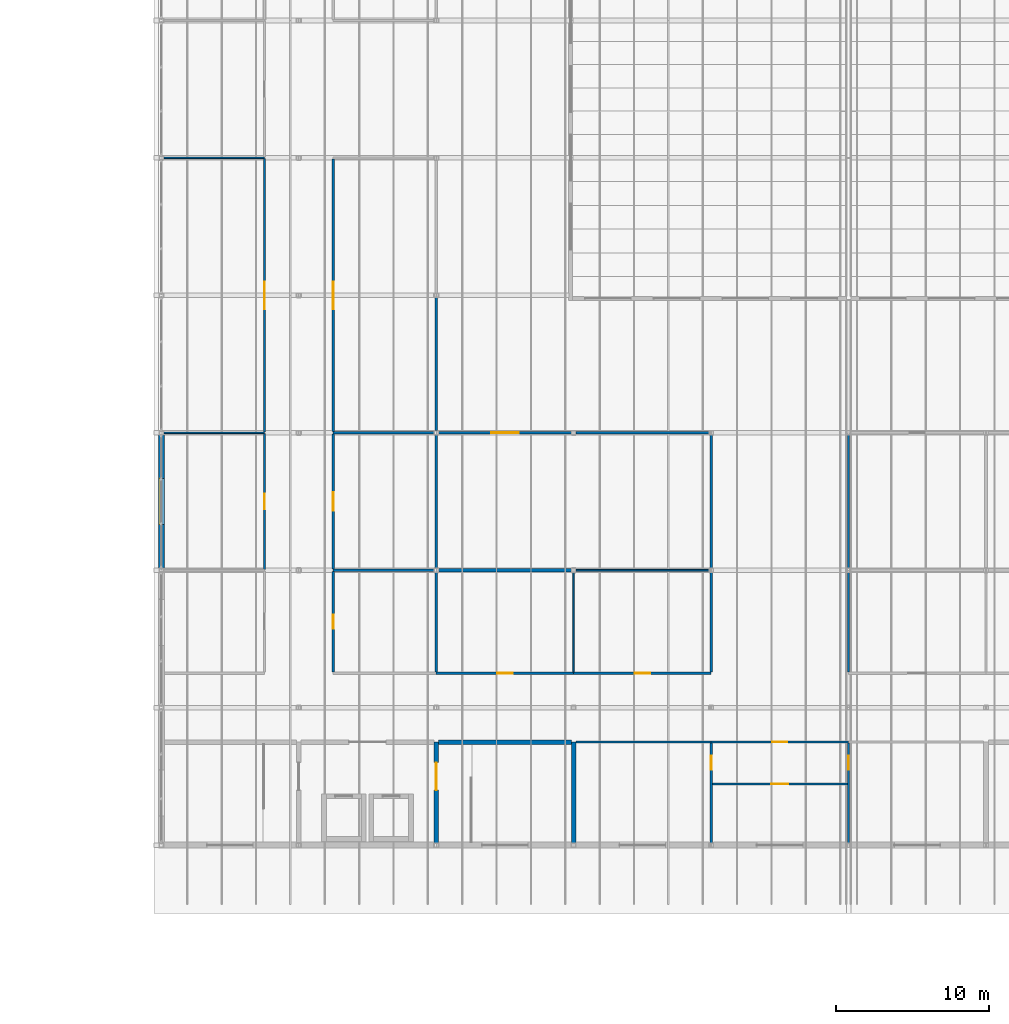
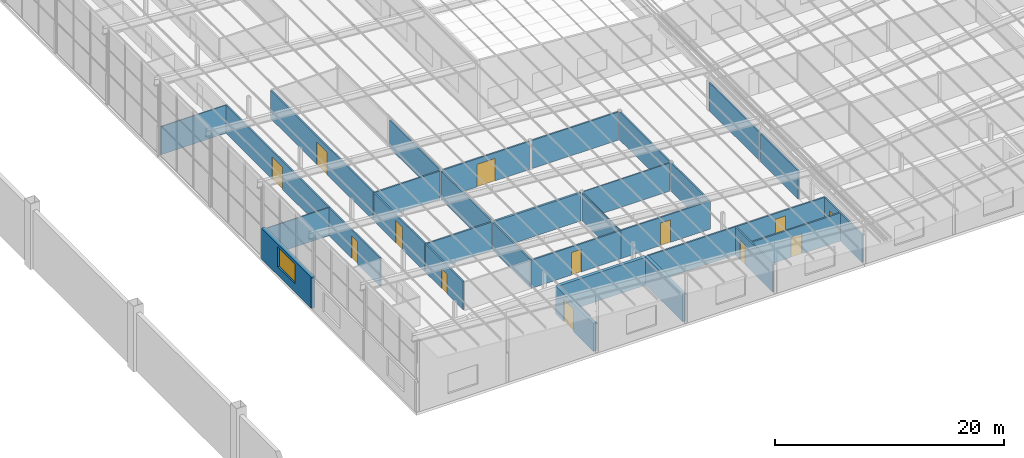
# One storey, part 71 of 85: 32 walls, 13 doors, 1 window, 14 openings.
"""IFC4 building model written with IfcOpenShell, lengths in metres."""

from ifc_helpers import new_model, si_unit, direction, frame, frame_2d, origin, place, context, subcontext, project, spatial, rectangle, extrude, material, layer, layer_set, type_object, element, fill, save


model = new_model("IFC4")

# Units and contexts
model_context = context("Model", 3, precision=1e-05, world=origin(), true_north=direction((0.0, 1.0)))
body_context = subcontext(model_context, "Body", "Model", "MODEL_VIEW")
ifc_project = project(units=[si_unit("LENGTHUNIT", "METRE"), si_unit("AREAUNIT", "SQUARE_METRE"), si_unit("VOLUMEUNIT", "CUBIC_METRE"), si_unit("PLANEANGLEUNIT", "RADIAN"), si_unit("MASSUNIT", "GRAM", prefix="KILO")], contexts=[model_context])

# Site, building, storey
site_placement = place(None, origin())
site = spatial("IfcSite", under=ifc_project, at=site_placement, CompositionType="ELEMENT")
building_placement = place(site_placement, origin())
building = spatial("IfcBuilding", under=site, at=building_placement, Name="Opaline Strait Convention Centre", CompositionType="ELEMENT")
storey_placement = place(building_placement, frame((0.0, 0.0, 17.0)))
storey = spatial("IfcBuildingStorey", under=building, at=storey_placement, Name="L03", CompositionType="ELEMENT", Elevation=17.0)

# Wall
ifc_material_1 = material(Name="Gypsum board")
ifc_layer_1 = layer(ifc_material_1, 0.050048828125)
ifc_material_2 = material(Name="Steel stud and mineral wool", Category="steel")
ifc_layer_2 = layer(ifc_material_2, 0.10009765625)
ifc_layer_3 = layer(ifc_material_1, 0.050048828125)
ifc_layer_set_1 = layer_set([ifc_layer_1, ifc_layer_2, ifc_layer_3], Name="Gypsum board, Steel stud and mineral wool, Gypsum board")
wall_type_1 = type_object("IfcWallType", Name="Acoustic partition 200 EI45", PredefinedType="PARTITIONING", material=ifc_layer_set_1)
wall_1_placement = place(storey_placement, frame((297.14990234375, 108.0, 0.0), z_axis=(0.0, 0.0, 1.0), x_axis=(1.0, 0.0, 0.0)))
element("IfcWall", 1, at=wall_1_placement, inside=storey, type_object=wall_type_1, Name="MPW5 partition Breakout Room 3.12 N", PredefinedType="PARTITIONING", context=body_context, shape_type="SweptSolid", body=[
    extrude(rectangle(XDim=8.7001953125, YDim=0.199951171875, at=frame_2d((4.35009765625, 0.0))), origin(), (0.0, 0.0, 1.0), 3.0),
])

# Wall, opening, door
ifc_layer_4 = layer(ifc_material_1, 0.032470703125)
ifc_layer_5 = layer(ifc_material_2, 0.0849609375)
ifc_layer_6 = layer(ifc_material_1, 0.032470703125)
ifc_layer_set_2 = layer_set([ifc_layer_4, ifc_layer_5, ifc_layer_6], Name="Gypsum board, Steel stud and mineral wool, Gypsum board")
wall_type_2 = type_object("IfcWallType", Name="Corridor partition 150 EI60", PredefinedType="PARTITIONING", material=ifc_layer_set_2)
wall_2_placement = place(storey_placement, frame((285.75, 108.050048828125, 0.0), z_axis=(0.0, 0.0, 1.0), x_axis=(0.0, 1.0, 0.0)))
wall_2 = element("IfcWall", 2, at=wall_2_placement, inside=storey, type_object=wall_type_2, Name="MPW1 partition Business Services Centre 3.02 E", PredefinedType="PARTITIONING", context=body_context, shape_type="SweptSolid", body=[
    extrude(rectangle(XDim=8.89990234375, YDim=0.14990234375, at=frame_2d((4.449951171875, 0.0))), origin(), (0.0, 0.0, 1.0), 3.0),
])
opening_1_placement = place(wall_2_placement, frame((3.949951171875, 0.0, 0.0)))
opening_1 = element("IfcOpeningElement", 3, at=opening_1_placement, cuts=wall_2, Name="Opening M3-022", PredefinedType="OPENING", context=body_context, shape_type="SweptSolid", body=[
    extrude(rectangle(XDim=1.0, YDim=2.39990234375, at=frame_2d((0.5, 1.199951171875))), frame((0.0, 0.0849609375, 0.0), z_axis=(0.0, -1.0, 0.0), x_axis=(1.0, 0.0, 0.0)), (0.0, 0.0, 1.0), 0.169921875),
])
ifc_material_3 = material(Name="Solid-core timber leaf, steel frame door set", Category="steel")
door_type_1 = type_object("IfcDoorType", Name="Meeting room door FD30 1000 x 2400", OperationType="SINGLE_SWING_LEFT", PredefinedType="DOOR", material=ifc_material_3)
door_1_placement = place(opening_1_placement, frame((1.0, 0.0, 0.0), z_axis=(0.0, 0.0, 1.0), x_axis=(-1.0, 0.0, 0.0)))
door_1 = element("IfcDoor", 4, at=door_1_placement, inside=storey, type_object=door_type_1, Name="Door Business Services Centre 3.02", ObjectType="MD8", OperationType="SINGLE_SWING_RIGHT", OverallHeight=2.39990234375, OverallWidth=1.0, PredefinedType="DOOR", context=body_context, shape_type="SweptSolid", body=[
    extrude(rectangle(XDim=1.0, YDim=2.39990234375, at=frame_2d((0.5, 1.199951171875))), frame((0.0, 0.02490234375, 0.0), z_axis=(0.0, -1.0, 0.0), x_axis=(1.0, 0.0, 0.0)), (0.0, 0.0, 1.0), 0.050048828125),
])
fill(opening_1, door_1)

wall_3_placement = place(storey_placement, frame((285.75, 117.050048828125, 0.0), z_axis=(0.0, 0.0, 1.0), x_axis=(0.0, 1.0, 0.0)))
wall_3 = element("IfcWall", 5, at=wall_3_placement, inside=storey, type_object=wall_type_2, Name="MPW1 partition Delegate Lounge 3.03 E", PredefinedType="PARTITIONING", context=body_context, shape_type="SweptSolid", body=[
    extrude(rectangle(XDim=17.89990234375, YDim=0.14990234375, at=frame_2d((8.949951171875, 0.0))), origin(), (0.0, 0.0, 1.0), 3.0),
])
opening_2_placement = place(wall_3_placement, frame((8.050048828125, 0.0, 0.0)))
opening_2 = element("IfcOpeningElement", 6, at=opening_2_placement, cuts=wall_3, Name="Opening M3-023", PredefinedType="OPENING", context=body_context, shape_type="SweptSolid", body=[
    extrude(rectangle(XDim=1.800048828125, YDim=2.39990234375, at=frame_2d((0.89990234375, 1.199951171875))), frame((0.0, 0.0849609375, 0.0), z_axis=(0.0, -1.0, 0.0), x_axis=(1.0, 0.0, 0.0)), (0.0, 0.0, 1.0), 0.169921875),
])
door_type_2 = type_object("IfcDoorType", Name="Meeting room double door FD30 1800 x 2400", OperationType="DOUBLE_DOOR_SINGLE_SWING", PredefinedType="DOOR", material=ifc_material_3)
door_2_placement = place(opening_2_placement, frame((1.800048828125, 0.0, 0.0), z_axis=(0.0, 0.0, 1.0), x_axis=(-1.0, 0.0, 0.0)))
door_2 = element("IfcDoor", 7, at=door_2_placement, inside=storey, type_object=door_type_2, Name="Door Delegate Lounge 3.03", ObjectType="MD7", OperationType="DOUBLE_DOOR_SINGLE_SWING", OverallHeight=2.39990234375, OverallWidth=1.800048828125, PredefinedType="DOOR", context=body_context, shape_type="SweptSolid", body=[
    extrude(rectangle(XDim=1.800048828125, YDim=2.39990234375, at=frame_2d((0.89990234375, 1.199951171875))), frame((0.0, 0.02490234375, 0.0), z_axis=(0.0, -1.0, 0.0), x_axis=(1.0, 0.0, 0.0)), (0.0, 0.0, 1.0), 0.050048828125),
])
fill(opening_2, door_2)

wall_4_placement = place(storey_placement, frame((290.25, 117.074951171875, 0.0), z_axis=(0.0, 0.0, 1.0), x_axis=(0.0, 1.0, 0.0)))
wall_4 = element("IfcWall", 8, at=wall_4_placement, inside=storey, type_object=wall_type_2, Name="MPW1 partition Seminar Room 3.09 W", PredefinedType="PARTITIONING", context=body_context, shape_type="SweptSolid", body=[
    extrude(rectangle(XDim=17.85009765625, YDim=0.14990234375, at=frame_2d((8.925048828125, 0.0))), origin(), (0.0, 0.0, 1.0), 3.0),
])
opening_3_placement = place(wall_4_placement, frame((8.025146484375, 0.0, 0.0)))
opening_3 = element("IfcOpeningElement", 9, at=opening_3_placement, cuts=wall_4, Name="Opening M3-029", PredefinedType="OPENING", context=body_context, shape_type="SweptSolid", body=[
    extrude(rectangle(XDim=1.800048828125, YDim=2.39990234375, at=frame_2d((0.89990234375, 1.199951171875))), frame((0.0, 0.0849609375, 0.0), z_axis=(0.0, -1.0, 0.0), x_axis=(1.0, 0.0, 0.0)), (0.0, 0.0, 1.0), 0.169921875),
])
door_3_placement = place(opening_3_placement, origin())
door_3 = element("IfcDoor", 10, at=door_3_placement, inside=storey, type_object=door_type_2, Name="Door Seminar Room 3.09", ObjectType="MD7", OperationType="DOUBLE_DOOR_SINGLE_SWING", OverallHeight=2.39990234375, OverallWidth=1.800048828125, PredefinedType="DOOR", context=body_context, shape_type="SweptSolid", body=[
    extrude(rectangle(XDim=1.800048828125, YDim=2.39990234375, at=frame_2d((0.89990234375, 1.199951171875))), frame((0.0, 0.02490234375, 0.0), z_axis=(0.0, -1.0, 0.0), x_axis=(1.0, 0.0, 0.0)), (0.0, 0.0, 1.0), 0.050048828125),
])
fill(opening_3, door_3)

# Wall
wall_5_placement = place(storey_placement, frame((297.0, 117.14990234375, 0.0), z_axis=(0.0, 0.0, 1.0), x_axis=(0.0, 1.0, 0.0)))
element("IfcWall", 11, at=wall_5_placement, inside=storey, type_object=wall_type_2, Name="MPW1 partition Seminar Room 3.09 E", PredefinedType="PARTITIONING", context=body_context, shape_type="SweptSolid", body=[
    extrude(rectangle(XDim=8.7001953125, YDim=0.14990234375, at=frame_2d((4.35009765625, 0.0))), origin(), (0.0, 0.0, 1.0), 3.0),
])

# Wall, opening, door
wall_6_placement = place(storey_placement, frame((297.0, 101.25, 0.0), z_axis=(0.0, 0.0, 1.0), x_axis=(1.0, 0.0, 0.0)))
wall_6 = element("IfcWall", 12, at=wall_6_placement, inside=storey, type_object=wall_type_2, Name="MPW1 partition Breakout Room 3.12 S", PredefinedType="PARTITIONING", context=body_context, shape_type="SweptSolid", body=[
    extrude(rectangle(XDim=9.0, YDim=0.14990234375, at=frame_2d((4.5, 0.0))), origin(), (0.0, 0.0, 1.0), 3.0),
])
opening_4_placement = place(wall_6_placement, frame((4.0, 0.0, 0.0)))
opening_4 = element("IfcOpeningElement", 13, at=opening_4_placement, cuts=wall_6, Name="Opening M3-032", PredefinedType="OPENING", context=body_context, shape_type="SweptSolid", body=[
    extrude(rectangle(XDim=1.0, YDim=2.39990234375, at=frame_2d((0.5, 1.199951171875))), frame((0.0, 0.0849609375, 0.0), z_axis=(0.0, -1.0, 0.0), x_axis=(1.0, 0.0, 0.0)), (0.0, 0.0, 1.0), 0.169921875),
])
door_4_placement = place(opening_4_placement, frame((1.0, 0.0, 0.0), z_axis=(0.0, 0.0, 1.0), x_axis=(-1.0, 0.0, 0.0)))
door_4 = element("IfcDoor", 14, at=door_4_placement, inside=storey, type_object=door_type_1, Name="Door Breakout Room 3.12", ObjectType="MD8", OperationType="SINGLE_SWING_LEFT", OverallHeight=2.39990234375, OverallWidth=1.0, PredefinedType="DOOR", context=body_context, shape_type="SweptSolid", body=[
    extrude(rectangle(XDim=1.0, YDim=2.39990234375, at=frame_2d((0.5, 1.199951171875))), frame((0.0, 0.02490234375, 0.0), z_axis=(0.0, -1.0, 0.0), x_axis=(1.0, 0.0, 0.0)), (0.0, 0.0, 1.0), 0.050048828125),
])
fill(opening_4, door_4)

wall_7_placement = place(storey_placement, frame((306.0, 101.25, 0.0), z_axis=(0.0, 0.0, 1.0), x_axis=(1.0, 0.0, 0.0)))
wall_7 = element("IfcWall", 15, at=wall_7_placement, inside=storey, type_object=wall_type_2, Name="MPW1 partition Chair Store 3.13 S", PredefinedType="PARTITIONING", context=body_context, shape_type="SweptSolid", body=[
    extrude(rectangle(XDim=9.0, YDim=0.14990234375, at=frame_2d((4.5, 0.0))), origin(), (0.0, 0.0, 1.0), 3.0),
])
opening_5_placement = place(wall_7_placement, frame((4.0, 0.0, 0.0)))
opening_5 = element("IfcOpeningElement", 16, at=opening_5_placement, cuts=wall_7, Name="Opening M3-033", PredefinedType="OPENING", context=body_context, shape_type="SweptSolid", body=[
    extrude(rectangle(XDim=1.0, YDim=2.39990234375, at=frame_2d((0.5, 1.199951171875))), frame((0.0, 0.0849609375, 0.0), z_axis=(0.0, -1.0, 0.0), x_axis=(1.0, 0.0, 0.0)), (0.0, 0.0, 1.0), 0.169921875),
])
door_5_placement = place(opening_5_placement, frame((1.0, 0.0, 0.0), z_axis=(0.0, 0.0, 1.0), x_axis=(-1.0, 0.0, 0.0)))
door_5 = element("IfcDoor", 17, at=door_5_placement, inside=storey, type_object=door_type_1, Name="Door Chair Store 3.13", ObjectType="MD8", OperationType="SINGLE_SWING_LEFT", OverallHeight=2.39990234375, OverallWidth=1.0, PredefinedType="DOOR", context=body_context, shape_type="SweptSolid", body=[
    extrude(rectangle(XDim=1.0, YDim=2.39990234375, at=frame_2d((0.5, 1.199951171875))), frame((0.0, 0.02490234375, 0.0), z_axis=(0.0, -1.0, 0.0), x_axis=(1.0, 0.0, 0.0)), (0.0, 0.0, 1.0), 0.050048828125),
])
fill(opening_5, door_5)

# Wall
wall_8_placement = place(storey_placement, frame((315.0, 101.324951171875, 0.0), z_axis=(0.0, 0.0, 1.0), x_axis=(0.0, 1.0, 0.0)))
element("IfcWall", 18, at=wall_8_placement, inside=storey, type_object=wall_type_2, Name="MPW1 partition Chair Store 3.13 E", PredefinedType="PARTITIONING", context=body_context, shape_type="SweptSolid", body=[
    extrude(rectangle(XDim=6.525146484375, YDim=0.14990234375, at=frame_2d((3.2626953125, 0.0))), origin(), (0.0, 0.0, 1.0), 3.0),
])

# Wall, opening, door
wall_9_placement = place(storey_placement, frame((297.14990234375, 117.0, 0.0), z_axis=(0.0, 0.0, 1.0), x_axis=(1.0, 0.0, 0.0)))
wall_9 = element("IfcWall", 19, at=wall_9_placement, inside=storey, type_object=wall_type_2, Name="MPW1 partition Boardroom 3.16 N", PredefinedType="PARTITIONING", context=body_context, shape_type="SweptSolid", body=[
    extrude(rectangle(XDim=8.7001953125, YDim=0.14990234375, at=frame_2d((4.35009765625, 0.0))), origin(), (0.0, 0.0, 1.0), 3.0),
])
opening_6_placement = place(wall_9_placement, frame((3.4501953125, 0.0, 0.0)))
opening_6 = element("IfcOpeningElement", 20, at=opening_6_placement, cuts=wall_9, Name="Opening M3-036", PredefinedType="OPENING", context=body_context, shape_type="SweptSolid", body=[
    extrude(rectangle(XDim=1.800048828125, YDim=2.39990234375, at=frame_2d((0.89990234375, 1.199951171875))), frame((0.0, 0.0849609375, 0.0), z_axis=(0.0, -1.0, 0.0), x_axis=(1.0, 0.0, 0.0)), (0.0, 0.0, 1.0), 0.169921875),
])
door_6_placement = place(opening_6_placement, origin())
door_6 = element("IfcDoor", 21, at=door_6_placement, inside=storey, type_object=door_type_2, Name="Door Boardroom 3.16", ObjectType="MD7", OperationType="DOUBLE_DOOR_SINGLE_SWING", OverallHeight=2.39990234375, OverallWidth=1.800048828125, PredefinedType="DOOR", context=body_context, shape_type="SweptSolid", body=[
    extrude(rectangle(XDim=1.800048828125, YDim=2.39990234375, at=frame_2d((0.89990234375, 1.199951171875))), frame((0.0, 0.02490234375, 0.0), z_axis=(0.0, -1.0, 0.0), x_axis=(1.0, 0.0, 0.0)), (0.0, 0.0, 1.0), 0.050048828125),
])
fill(opening_6, door_6)

# Walls
for number, where, z_axis, x_axis, name in (
    (22, (306.14990234375, 117.0, 0.0), (0.0, 0.0, 1.0), (1.0, 0.0, 0.0), "MPW1 partition Boardroom 3.16 N"),
    (23, (315.0, 108.14990234375, 0.0), (0.0, 0.0, 1.0), (0.0, 1.0, 0.0), "MPW1 partition Boardroom 3.16 E"),
    (24, (324.0, 108.14990234375, 0.0), (0.0, 0.0, 1.0), (0.0, 1.0, 0.0), "MPW1 partition VIP Suite 3.17 W"),
):
    element("IfcWall", number, at=place(storey_placement, frame(where, z_axis=z_axis, x_axis=x_axis)), inside=storey, type_object=wall_type_2, Name=name, PredefinedType="PARTITIONING", context=body_context, shape_type="SweptSolid", body=[
        extrude(rectangle(XDim=8.7001953125, YDim=0.14990234375, at=frame_2d((4.35009765625, 0.0))), origin(), (0.0, 0.0, 1.0), 3.0),
    ])
wall_10_placement = place(storey_placement, frame((306.14990234375, 96.75, 0.0), z_axis=(0.0, 0.0, 1.0), x_axis=(1.0, 0.0, 0.0)))
element("IfcWall", 25, at=wall_10_placement, inside=storey, type_object=wall_type_2, Name="MPW1 partition Men's WC 3.S N", PredefinedType="PARTITIONING", context=body_context, shape_type="SweptSolid", body=[
    extrude(rectangle(XDim=8.85009765625, YDim=0.14990234375, at=frame_2d((4.425048828125, 0.0))), origin(), (0.0, 0.0, 1.0), 3.0),
])

# Wall, opening, door
wall_11_placement = place(storey_placement, frame((315.0, 96.75, 0.0), z_axis=(0.0, 0.0, 1.0), x_axis=(1.0, 0.0, 0.0)))
wall_11 = element("IfcWall", 26, at=wall_11_placement, inside=storey, type_object=wall_type_2, Name="MPW1 partition WC Lobby 3.S N", PredefinedType="PARTITIONING", context=body_context, shape_type="SweptSolid", body=[
    extrude(rectangle(XDim=9.0, YDim=0.14990234375, at=frame_2d((4.5, 0.0))), origin(), (0.0, 0.0, 1.0), 3.0),
])
opening_7_placement = place(wall_11_placement, frame((4.0, 0.0, 0.0)))
opening_7 = element("IfcOpeningElement", 27, at=opening_7_placement, cuts=wall_11, Name="Opening M3-050", PredefinedType="OPENING", context=body_context, shape_type="SweptSolid", body=[
    extrude(rectangle(XDim=1.0, YDim=2.39990234375, at=frame_2d((0.5, 1.199951171875))), frame((0.0, 0.0849609375, 0.0), z_axis=(0.0, -1.0, 0.0), x_axis=(1.0, 0.0, 0.0)), (0.0, 0.0, 1.0), 0.169921875),
])
door_7_placement = place(opening_7_placement, origin())
door_7 = element("IfcDoor", 28, at=door_7_placement, inside=storey, type_object=door_type_1, Name="Door WC Lobby 3.S", ObjectType="MD8", OperationType="SINGLE_SWING_LEFT", OverallHeight=2.39990234375, OverallWidth=1.0, PredefinedType="DOOR", context=body_context, shape_type="SweptSolid", body=[
    extrude(rectangle(XDim=1.0, YDim=2.39990234375, at=frame_2d((0.5, 1.199951171875))), frame((0.0, 0.02490234375, 0.0), z_axis=(0.0, -1.0, 0.0), x_axis=(1.0, 0.0, 0.0)), (0.0, 0.0, 1.0), 0.050048828125),
])
fill(opening_7, door_7)

# Wall, opening, window
ifc_material_4 = material(Name="Concrete C40 precast", Category="concrete")
ifc_layer_7 = layer(ifc_material_4, 0.10009765625)
ifc_material_5 = material(Name="Mineral wool insulation")
ifc_layer_8 = layer(ifc_material_5, 0.14990234375)
ifc_layer_9 = layer(ifc_material_4, 0.14990234375)
ifc_layer_set_3 = layer_set([ifc_layer_7, ifc_layer_8, ifc_layer_9], Name="Concrete C40 precast, Mineral wool insulation, Concrete C40 precast")
wall_type_3 = type_object("IfcWallType", Name="External wall 400 insulated precast EI60", PredefinedType="STANDARD", material=ifc_layer_set_3)
wall_12_placement = place(storey_placement, frame((279.0, 108.14990234375, 0.0), z_axis=(0.0, 0.0, 1.0), x_axis=(0.0, 1.0, 0.0)))
wall_12 = element("IfcWall", 29, at=wall_12_placement, inside=storey, type_object=wall_type_3, Name="External wall W L03 32/N", PredefinedType="STANDARD", context=body_context, shape_type="SweptSolid", body=[
    extrude(rectangle(XDim=8.7001953125, YDim=0.39990234375, at=frame_2d((4.35009765625, 0.0))), origin(), (0.0, 0.0, 1.0), 3.300048828125),
])
opening_8_placement = place(wall_12_placement, frame((2.85009765625, 0.0, 0.89990234375)))
opening_8 = element("IfcOpeningElement", 30, at=opening_8_placement, cuts=wall_12, Name="Opening MW2", PredefinedType="OPENING", context=body_context, shape_type="SweptSolid", body=[
    extrude(rectangle(XDim=3.0, YDim=2.10009765625, at=frame_2d((1.5, 1.050048828125))), frame((0.0, 0.2099609375, 0.0), z_axis=(0.0, -1.0, 0.0), x_axis=(1.0, 0.0, 0.0)), (0.0, 0.0, 1.0), 0.419921875),
])
ifc_material_6 = material(Name="Aluminium framed double glazing", Category="aluminium")
window_type = type_object("IfcWindowType", Name="Window 3000 x 2100", PartitioningType="TRIPLE_PANEL_VERTICAL", PredefinedType="WINDOW", material=ifc_material_6)
window_placement = place(opening_8_placement, origin())
window = element("IfcWindow", 31, at=window_placement, inside=storey, type_object=window_type, Name="Window Business Services Centre 3.02 W", OverallHeight=2.10009765625, OverallWidth=3.0, PartitioningType="TRIPLE_PANEL_VERTICAL", PredefinedType="WINDOW", context=body_context, shape_type="SweptSolid", body=[
    extrude(rectangle(XDim=3.0, YDim=2.10009765625, at=frame_2d((1.5, 1.050048828125))), frame((0.0, 0.030029296875, 0.0), z_axis=(0.0, -1.0, 0.0), x_axis=(1.0, 0.0, 0.0)), (0.0, 0.0, 1.0), 0.06005859375),
])
fill(opening_8, window)

# Wall
ifc_layer_10 = layer(ifc_material_1, 0.032470703125)
ifc_layer_11 = layer(ifc_material_2, 0.0849609375)
ifc_layer_12 = layer(ifc_material_1, 0.032470703125)
ifc_layer_set_4 = layer_set([ifc_layer_10, ifc_layer_11, ifc_layer_12], Name="Gypsum board, Steel stud and mineral wool, Gypsum board")
wall_type_4 = type_object("IfcWallType", Name="Plant room partition 150 EI120", PredefinedType="PARTITIONING", material=ifc_layer_set_4)
wall_13_placement = place(storey_placement, frame((290.25, 108.0, 0.0), z_axis=(0.0, 0.0, 1.0), x_axis=(1.0, 0.0, 0.0)))
element("IfcWall", 32, at=wall_13_placement, inside=storey, type_object=wall_type_4, Name="MPW3 partition Riser Room 3.07 N", PredefinedType="PARTITIONING", context=body_context, shape_type="SweptSolid", body=[
    extrude(rectangle(XDim=6.60009765625, YDim=0.14990234375, at=frame_2d((3.300048828125, 0.0))), origin(), (0.0, 0.0, 1.0), 3.0),
])

# Wall, opening, door
wall_14_placement = place(storey_placement, frame((290.25, 101.324951171875, 0.0), z_axis=(0.0, 0.0, 1.0), x_axis=(0.0, 1.0, 0.0)))
wall_14 = element("IfcWall", 33, at=wall_14_placement, inside=storey, type_object=wall_type_4, Name="MPW3 partition Riser Room 3.07 W", PredefinedType="PARTITIONING", context=body_context, shape_type="SweptSolid", body=[
    extrude(rectangle(XDim=6.60009765625, YDim=0.14990234375, at=frame_2d((3.300048828125, 0.0))), origin(), (0.0, 0.0, 1.0), 3.0),
])
opening_9_placement = place(wall_14_placement, frame((2.85009765625, 0.0, 0.0)))
opening_9 = element("IfcOpeningElement", 34, at=opening_9_placement, cuts=wall_14, Name="Opening M3-027", PredefinedType="OPENING", context=body_context, shape_type="SweptSolid", body=[
    extrude(rectangle(XDim=0.89990234375, YDim=2.10009765625, at=frame_2d((0.449951171875, 1.050048828125))), frame((0.0, 0.0849609375, 0.0), z_axis=(0.0, -1.0, 0.0), x_axis=(1.0, 0.0, 0.0)), (0.0, 0.0, 1.0), 0.169921875),
])
ifc_material_7 = material(Name="Steel Q235B", Category="steel")
door_type_3 = type_object("IfcDoorType", Name="Riser door FD30 900 x 2100", OperationType="SINGLE_SWING_LEFT", PredefinedType="DOOR", material=ifc_material_7)
door_8_placement = place(opening_9_placement, origin())
door_8 = element("IfcDoor", 35, at=door_8_placement, inside=storey, type_object=door_type_3, Name="Door Riser Room 3.07", ObjectType="MD10", OperationType="SINGLE_SWING_RIGHT", OverallHeight=2.10009765625, OverallWidth=0.89990234375, PredefinedType="DOOR", context=body_context, shape_type="SweptSolid", body=[
    extrude(rectangle(XDim=0.89990234375, YDim=2.10009765625, at=frame_2d((0.449951171875, 1.050048828125))), frame((0.0, 0.02490234375, 0.0), z_axis=(0.0, -1.0, 0.0), x_axis=(1.0, 0.0, 0.0)), (0.0, 0.0, 1.0), 0.050048828125),
])
fill(opening_9, door_8)

# Walls
wall_15_placement = place(storey_placement, frame((297.0, 101.324951171875, 0.0), z_axis=(0.0, 0.0, 1.0), x_axis=(0.0, 1.0, 0.0)))
element("IfcWall", 36, at=wall_15_placement, inside=storey, type_object=wall_type_4, Name="MPW3 partition Riser Room 3.07 E", PredefinedType="PARTITIONING", context=body_context, shape_type="SweptSolid", body=[
    extrude(rectangle(XDim=6.525146484375, YDim=0.14990234375, at=frame_2d((3.2626953125, 0.0))), origin(), (0.0, 0.0, 1.0), 3.0),
])
wall_16_placement = place(storey_placement, frame((290.25, 117.0, 0.0), z_axis=(0.0, 0.0, 1.0), x_axis=(1.0, 0.0, 0.0)))
element("IfcWall", 37, at=wall_16_placement, inside=storey, type_object=wall_type_4, Name="MPW3 partition Electrical Room 3.08 N", PredefinedType="PARTITIONING", context=body_context, shape_type="SweptSolid", body=[
    extrude(rectangle(XDim=6.60009765625, YDim=0.14990234375, at=frame_2d((3.300048828125, 0.0))), origin(), (0.0, 0.0, 1.0), 3.0),
])

# Wall, opening, door
wall_17_placement = place(storey_placement, frame((290.25, 108.074951171875, 0.0), z_axis=(0.0, 0.0, 1.0), x_axis=(0.0, 1.0, 0.0)))
wall_17 = element("IfcWall", 38, at=wall_17_placement, inside=storey, type_object=wall_type_4, Name="MPW3 partition Electrical Room 3.08 W", PredefinedType="PARTITIONING", context=body_context, shape_type="SweptSolid", body=[
    extrude(rectangle(XDim=8.85009765625, YDim=0.14990234375, at=frame_2d((4.425048828125, 0.0))), origin(), (0.0, 0.0, 1.0), 3.0),
])
opening_10_placement = place(wall_17_placement, frame((3.824951171875, 0.0, 0.0)))
opening_10 = element("IfcOpeningElement", 39, at=opening_10_placement, cuts=wall_17, Name="Opening M3-028", PredefinedType="OPENING", context=body_context, shape_type="SweptSolid", body=[
    extrude(rectangle(XDim=1.199951171875, YDim=2.39990234375, at=frame_2d((0.60009765625, 1.199951171875))), frame((0.0, 0.0849609375, 0.0), z_axis=(0.0, -1.0, 0.0), x_axis=(1.0, 0.0, 0.0)), (0.0, 0.0, 1.0), 0.169921875),
])
door_type_4 = type_object("IfcDoorType", Name="Plant room door FD60 1200 x 2400", OperationType="SINGLE_SWING_LEFT", PredefinedType="DOOR", material=ifc_material_7)
door_9_placement = place(opening_10_placement, origin())
door_9 = element("IfcDoor", 40, at=door_9_placement, inside=storey, type_object=door_type_4, Name="Door Electrical Room 3.08", ObjectType="MD9", OperationType="SINGLE_SWING_LEFT", OverallHeight=2.39990234375, OverallWidth=1.199951171875, PredefinedType="DOOR", context=body_context, shape_type="SweptSolid", body=[
    extrude(rectangle(XDim=1.199951171875, YDim=2.39990234375, at=frame_2d((0.60009765625, 1.199951171875))), frame((0.0, 0.02490234375, 0.0), z_axis=(0.0, -1.0, 0.0), x_axis=(1.0, 0.0, 0.0)), (0.0, 0.0, 1.0), 0.050048828125),
])
fill(opening_10, door_9)

# Walls
wall_18_placement = place(storey_placement, frame((297.0, 108.14990234375, 0.0), z_axis=(0.0, 0.0, 1.0), x_axis=(0.0, 1.0, 0.0)))
element("IfcWall", 41, at=wall_18_placement, inside=storey, type_object=wall_type_4, Name="MPW3 partition Electrical Room 3.08 E", PredefinedType="PARTITIONING", context=body_context, shape_type="SweptSolid", body=[
    extrude(rectangle(XDim=8.7001953125, YDim=0.14990234375, at=frame_2d((4.35009765625, 0.0))), origin(), (0.0, 0.0, 1.0), 3.0),
])
wall_19_placement = place(storey_placement, frame((324.0, 101.324951171875, 0.0), z_axis=(0.0, 0.0, 1.0), x_axis=(0.0, 1.0, 0.0)))
element("IfcWall", 42, at=wall_19_placement, inside=storey, type_object=wall_type_4, Name="MPW3 partition Comms Room 3.14 W", PredefinedType="PARTITIONING", context=body_context, shape_type="SweptSolid", body=[
    extrude(rectangle(XDim=6.525146484375, YDim=0.14990234375, at=frame_2d((3.2626953125, 0.0))), origin(), (0.0, 0.0, 1.0), 3.0),
])

# Wall, opening, door
ifc_material_8 = material(Name="Concrete C40", Category="concrete")
ifc_layer_13 = layer(ifc_material_8, 0.300048828125)
ifc_layer_set_5 = layer_set([ifc_layer_13], Name="Concrete C40")
wall_type_5 = type_object("IfcWallType", Name="RC core wall 300 C40", PredefinedType="SHEAR", material=ifc_layer_set_5)
wall_20_placement = place(storey_placement, frame((297.0, 90.14990234375, 0.0), z_axis=(0.0, 0.0, 1.0), x_axis=(0.0, 1.0, 0.0)))
wall_20 = element("IfcWall", 43, at=wall_20_placement, inside=storey, type_object=wall_type_5, Name="Core wall SW-L03", PredefinedType="SHEAR", context=body_context, shape_type="SweptSolid", body=[
    extrude(rectangle(XDim=6.60009765625, YDim=0.300048828125, at=frame_2d((3.300048828125, 0.0))), origin(), (0.0, 0.0, 1.0), 3.0),
])
opening_11_placement = place(wall_20_placement, frame((3.4501953125, 0.0, 0.0)))
opening_11 = element("IfcOpeningElement", 44, at=opening_11_placement, cuts=wall_20, Name="Opening M3-002", PredefinedType="OPENING", context=body_context, shape_type="SweptSolid", body=[
    extrude(rectangle(XDim=1.800048828125, YDim=2.39990234375, at=frame_2d((0.89990234375, 1.199951171875))), frame((0.0, 0.159912109375, 0.0), z_axis=(0.0, -1.0, 0.0), x_axis=(1.0, 0.0, 0.0)), (0.0, 0.0, 1.0), 0.320068359375),
])
door_type_5 = type_object("IfcDoorType", Name="Stair door FD60 1800 x 2400", OperationType="DOUBLE_DOOR_SINGLE_SWING", PredefinedType="DOOR", material=ifc_material_7)
door_10_placement = place(opening_11_placement, origin())
door_10 = element("IfcDoor", 45, at=door_10_placement, inside=storey, type_object=door_type_5, Name="Escape stair S2 door L03", ObjectType="MD4", OperationType="DOUBLE_DOOR_SINGLE_SWING", OverallHeight=2.39990234375, OverallWidth=1.800048828125, PredefinedType="DOOR", context=body_context, shape_type="SweptSolid", body=[
    extrude(rectangle(XDim=1.800048828125, YDim=2.39990234375, at=frame_2d((0.89990234375, 1.199951171875))), frame((0.0, 0.02490234375, 0.0), z_axis=(0.0, -1.0, 0.0), x_axis=(1.0, 0.0, 0.0)), (0.0, 0.0, 1.0), 0.050048828125),
])
fill(opening_11, door_10)

# Walls
wall_21_placement = place(storey_placement, frame((306.0, 90.14990234375, 0.0), z_axis=(0.0, 0.0, 1.0), x_axis=(0.0, 1.0, 0.0)))
element("IfcWall", 46, at=wall_21_placement, inside=storey, type_object=wall_type_5, Name="Core wall SW-L03", PredefinedType="SHEAR", context=body_context, shape_type="SweptSolid", body=[
    extrude(rectangle(XDim=6.60009765625, YDim=0.300048828125, at=frame_2d((3.300048828125, 0.0))), origin(), (0.0, 0.0, 1.0), 3.0),
])
wall_22_placement = place(storey_placement, frame((297.14990234375, 96.75, 0.0), z_axis=(0.0, 0.0, 1.0), x_axis=(1.0, 0.0, 0.0)))
element("IfcWall", 47, at=wall_22_placement, inside=storey, type_object=wall_type_5, Name="Core wall SW-L03", PredefinedType="SHEAR", context=body_context, shape_type="SweptSolid", body=[
    extrude(rectangle(XDim=8.7001953125, YDim=0.300048828125, at=frame_2d((4.35009765625, 0.0))), origin(), (0.0, 0.0, 1.0), 3.0),
])
ifc_layer_14 = layer(ifc_material_1, 0.012451171875)
ifc_layer_15 = layer(ifc_material_2, 0.074951171875)
ifc_layer_16 = layer(ifc_material_1, 0.012451171875)
ifc_layer_set_6 = layer_set([ifc_layer_14, ifc_layer_15, ifc_layer_16], Name="Gypsum board, Steel stud and mineral wool, Gypsum board")
wall_type_6 = type_object("IfcWallType", Name="Room partition 100 EI45", PredefinedType="PARTITIONING", material=ifc_layer_set_6)
for number, where, z_axis, x_axis, name in (
    (48, (279.14990234375, 117.0, 0.0), (0.0, 0.0, 1.0), (1.0, 0.0, 0.0), "MPW2 partition Business Services Centre 3.02 N"),
    (49, (279.14990234375, 135.0, 0.0), (0.0, 0.0, 1.0), (1.0, 0.0, 0.0), "MPW2 partition Delegate Lounge 3.03 N"),
):
    element("IfcWall", number, at=place(storey_placement, frame(where, z_axis=z_axis, x_axis=x_axis)), inside=storey, type_object=wall_type_6, Name=name, PredefinedType="PARTITIONING", context=body_context, shape_type="SweptSolid", body=[
        extrude(rectangle(XDim=6.60009765625, YDim=0.10009765625, at=frame_2d((3.300048828125, 0.0))), origin(), (0.0, 0.0, 1.0), 3.0),
    ])
wall_23_placement = place(storey_placement, frame((306.0, 101.324951171875, 0.0), z_axis=(0.0, 0.0, 1.0), x_axis=(0.0, 1.0, 0.0)))
element("IfcWall", 50, at=wall_23_placement, inside=storey, type_object=wall_type_6, Name="MPW2 partition Breakout Room 3.12 E", PredefinedType="PARTITIONING", context=body_context, shape_type="SweptSolid", body=[
    extrude(rectangle(XDim=6.525146484375, YDim=0.10009765625, at=frame_2d((3.2626953125, 0.0))), origin(), (0.0, 0.0, 1.0), 3.0),
])
wall_24_placement = place(storey_placement, frame((306.14990234375, 108.0, 0.0), z_axis=(0.0, 0.0, 1.0), x_axis=(1.0, 0.0, 0.0)))
element("IfcWall", 51, at=wall_24_placement, inside=storey, type_object=wall_type_6, Name="MPW2 partition Chair Store 3.13 N", PredefinedType="PARTITIONING", context=body_context, shape_type="SweptSolid", body=[
    extrude(rectangle(XDim=8.7001953125, YDim=0.10009765625, at=frame_2d((4.35009765625, 0.0))), origin(), (0.0, 0.0, 1.0), 3.0),
])

# Wall, opening, door
ifc_layer_17 = layer(ifc_material_1, 0.032470703125)
ifc_layer_18 = layer(ifc_material_2, 0.0849609375)
ifc_layer_19 = layer(ifc_material_1, 0.032470703125)
ifc_layer_set_7 = layer_set([ifc_layer_17, ifc_layer_18, ifc_layer_19], Name="Gypsum board, Steel stud and mineral wool, Gypsum board")
wall_type_7 = type_object("IfcWallType", Name="Wet-area partition 150 EI45", PredefinedType="PARTITIONING", material=ifc_layer_set_7)
wall_25_placement = place(storey_placement, frame((315.0, 90.14990234375, 0.0), z_axis=(0.0, 0.0, 1.0), x_axis=(0.0, 1.0, 0.0)))
wall_25 = element("IfcWall", 52, at=wall_25_placement, inside=storey, type_object=wall_type_7, Name="MPW4 partition Men's WC 3.S E", PredefinedType="PARTITIONING", context=body_context, shape_type="SweptSolid", body=[
    extrude(rectangle(XDim=6.525146484375, YDim=0.14990234375, at=frame_2d((3.2626953125, 0.0))), origin(), (0.0, 0.0, 1.0), 3.0),
])
opening_12_placement = place(wall_25_placement, frame((4.800048828125, 0.0, 0.0)))
opening_12 = element("IfcOpeningElement", 53, at=opening_12_placement, cuts=wall_25, Name="Opening M3-047", PredefinedType="OPENING", context=body_context, shape_type="SweptSolid", body=[
    extrude(rectangle(XDim=0.89990234375, YDim=2.10009765625, at=frame_2d((0.449951171875, 1.050048828125))), frame((0.0, 0.0849609375, 0.0), z_axis=(0.0, -1.0, 0.0), x_axis=(1.0, 0.0, 0.0)), (0.0, 0.0, 1.0), 0.169921875),
])
door_type_6 = type_object("IfcDoorType", Name="WC door 900 x 2100", OperationType="SINGLE_SWING_LEFT", PredefinedType="DOOR", material=ifc_material_3)
door_11_placement = place(opening_12_placement, origin())
door_11 = element("IfcDoor", 54, at=door_11_placement, inside=storey, type_object=door_type_6, Name="Door Men's WC 3.S", ObjectType="MD11", OperationType="SINGLE_SWING_RIGHT", OverallHeight=2.10009765625, OverallWidth=0.89990234375, PredefinedType="DOOR", context=body_context, shape_type="SweptSolid", body=[
    extrude(rectangle(XDim=0.89990234375, YDim=2.10009765625, at=frame_2d((0.449951171875, 1.050048828125))), frame((0.0, 0.02490234375, 0.0), z_axis=(0.0, -1.0, 0.0), x_axis=(1.0, 0.0, 0.0)), (0.0, 0.0, 1.0), 0.050048828125),
])
fill(opening_12, door_11)

wall_26_placement = place(storey_placement, frame((324.0, 90.14990234375, 0.0), z_axis=(0.0, 0.0, 1.0), x_axis=(0.0, 1.0, 0.0)))
wall_26 = element("IfcWall", 55, at=wall_26_placement, inside=storey, type_object=wall_type_7, Name="MPW4 partition Women's WC 3.S W", PredefinedType="PARTITIONING", context=body_context, shape_type="SweptSolid", body=[
    extrude(rectangle(XDim=6.525146484375, YDim=0.14990234375, at=frame_2d((3.2626953125, 0.0))), origin(), (0.0, 0.0, 1.0), 3.0),
])
opening_13_placement = place(wall_26_placement, frame((4.800048828125, 0.0, 0.0)))
opening_13 = element("IfcOpeningElement", 56, at=opening_13_placement, cuts=wall_26, Name="Opening M3-048", PredefinedType="OPENING", context=body_context, shape_type="SweptSolid", body=[
    extrude(rectangle(XDim=0.89990234375, YDim=2.10009765625, at=frame_2d((0.449951171875, 1.050048828125))), frame((0.0, 0.0849609375, 0.0), z_axis=(0.0, -1.0, 0.0), x_axis=(1.0, 0.0, 0.0)), (0.0, 0.0, 1.0), 0.169921875),
])
door_12_placement = place(opening_13_placement, frame((0.89990234375, 0.0, 0.0), z_axis=(0.0, 0.0, 1.0), x_axis=(-1.0, 0.0, 0.0)))
door_12 = element("IfcDoor", 57, at=door_12_placement, inside=storey, type_object=door_type_6, Name="Door Women's WC 3.S", ObjectType="MD11", OperationType="SINGLE_SWING_RIGHT", OverallHeight=2.10009765625, OverallWidth=0.89990234375, PredefinedType="DOOR", context=body_context, shape_type="SweptSolid", body=[
    extrude(rectangle(XDim=0.89990234375, YDim=2.10009765625, at=frame_2d((0.449951171875, 1.050048828125))), frame((0.0, 0.02490234375, 0.0), z_axis=(0.0, -1.0, 0.0), x_axis=(1.0, 0.0, 0.0)), (0.0, 0.0, 1.0), 0.050048828125),
])
fill(opening_13, door_12)

wall_27_placement = place(storey_placement, frame((315.074951171875, 94.0, 0.0), z_axis=(0.0, 0.0, 1.0), x_axis=(1.0, 0.0, 0.0)))
wall_27 = element("IfcWall", 58, at=wall_27_placement, inside=storey, type_object=wall_type_7, Name="MPW4 partition Accessible WC 3.S N", PredefinedType="PARTITIONING", context=body_context, shape_type="SweptSolid", body=[
    extrude(rectangle(XDim=8.85009765625, YDim=0.14990234375, at=frame_2d((4.425048828125, 0.0))), origin(), (0.0, 0.0, 1.0), 3.0),
])
opening_14_placement = place(wall_27_placement, frame((3.875, 0.0, 0.0)))
opening_14 = element("IfcOpeningElement", 59, at=opening_14_placement, cuts=wall_27, Name="Opening M3-049", PredefinedType="OPENING", context=body_context, shape_type="SweptSolid", body=[
    extrude(rectangle(XDim=1.10009765625, YDim=2.10009765625, at=frame_2d((0.550048828125, 1.050048828125))), frame((0.0, 0.0849609375, 0.0), z_axis=(0.0, -1.0, 0.0), x_axis=(1.0, 0.0, 0.0)), (0.0, 0.0, 1.0), 0.169921875),
])
door_type_7 = type_object("IfcDoorType", Name="Accessible WC door 1100 x 2100", OperationType="SINGLE_SWING_LEFT", PredefinedType="DOOR", material=ifc_material_3)
door_13_placement = place(opening_14_placement, origin())
door_13 = element("IfcDoor", 60, at=door_13_placement, inside=storey, type_object=door_type_7, Name="Door Accessible WC 3.S", ObjectType="MD12", OperationType="SINGLE_SWING_LEFT", OverallHeight=2.10009765625, OverallWidth=1.10009765625, PredefinedType="DOOR", context=body_context, shape_type="SweptSolid", body=[
    extrude(rectangle(XDim=1.10009765625, YDim=2.10009765625, at=frame_2d((0.550048828125, 1.050048828125))), frame((0.0, 0.02490234375, 0.0), z_axis=(0.0, -1.0, 0.0), x_axis=(1.0, 0.0, 0.0)), (0.0, 0.0, 1.0), 0.050048828125),
])
fill(opening_14, door_13)

save(model, "model.ifc")
